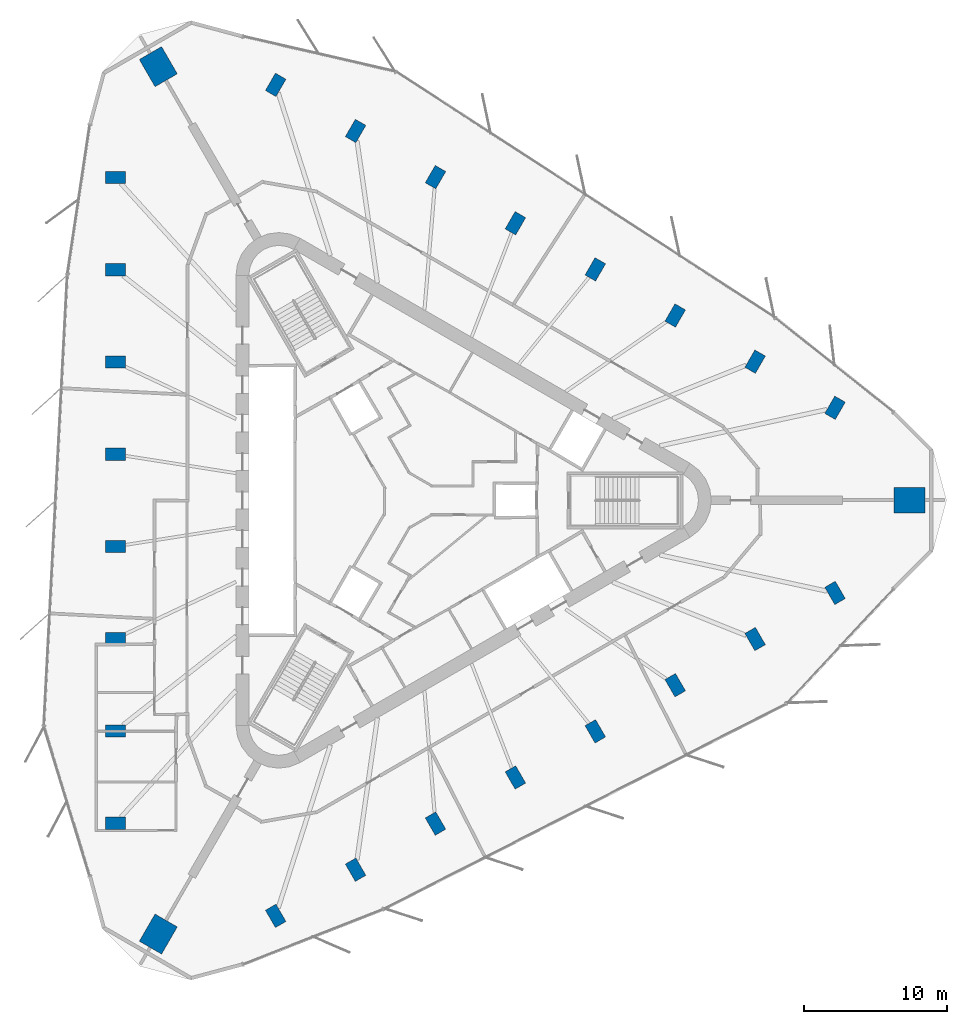
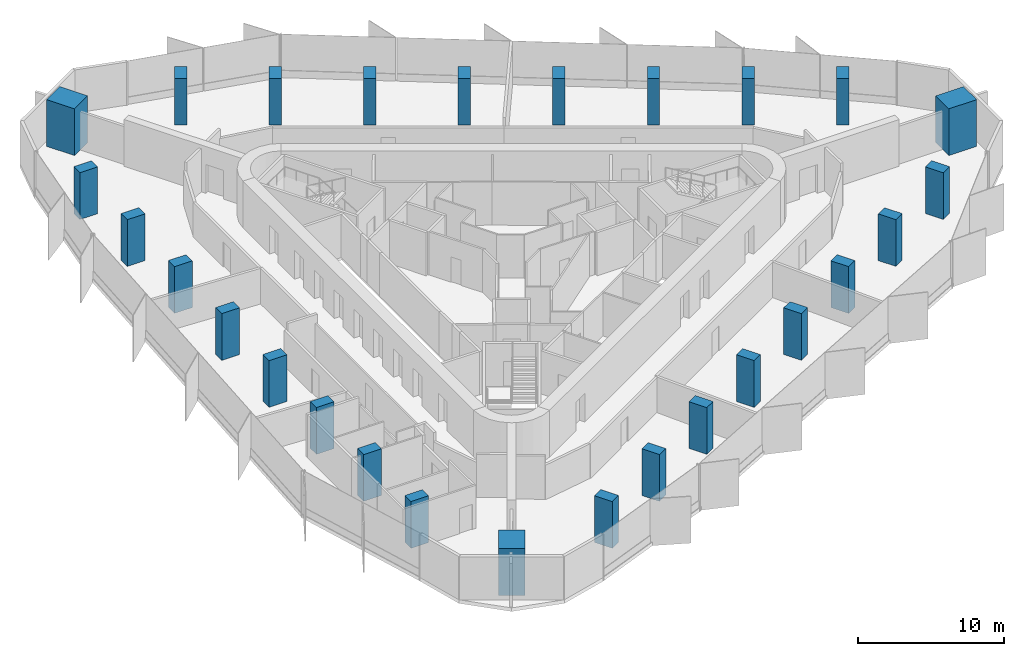
# One storey, part 1 of 13: 27 columns.
"""IFC4 building model written with IfcOpenShell, lengths in metres."""

from ifc_helpers import new_model, si_unit, direction, frame, origin, origin_2d, place, context, subcontext, project, spatial, rectangle, extrude, material, material_profile, profile_set, type_object, element, save


model = new_model("IFC4")

# Units and contexts
model_context = context("Model", 3, precision=1e-05, world=origin(), true_north=direction((0.0, 1.0)))
body_context = subcontext(model_context, "Body", "Model", "MODEL_VIEW")
ifc_project = project(units=[si_unit("LENGTHUNIT", "METRE"), si_unit("AREAUNIT", "SQUARE_METRE"), si_unit("VOLUMEUNIT", "CUBIC_METRE"), si_unit("PLANEANGLEUNIT", "RADIAN"), si_unit("MASSUNIT", "GRAM", prefix="KILO")], contexts=[model_context])

# Site, building, storey
site_placement = place(None, origin())
site = spatial("IfcSite", under=ifc_project, at=site_placement, CompositionType="ELEMENT")
building_placement = place(site_placement, origin())
building = spatial("IfcBuilding", under=site, at=building_placement, Name="Tanit Gate Tower", CompositionType="ELEMENT")
storey_placement = place(building_placement, frame((0.0, 0.0, 314.300048828125)))
storey = spatial("IfcBuildingStorey", under=building, at=storey_placement, Name="L70", CompositionType="ELEMENT", Elevation=314.300048828125)

# Columns
ifc_material_1 = material(Name="Concrete C50/60", Category="concrete")
ifc_material_profile_1 = material_profile(ifc_material_1, rectangle(XDim=2.199951171875, YDim=1.800048828125, at=origin_2d()), Name="RC 2200x1800")
ifc_profile_set_1 = profile_set([ifc_material_profile_1], Name="Concrete C50/60")
column_type_1 = type_object("IfcColumnType", Name="MEGA COLUMN 2200x1800 C50/60", PredefinedType="COLUMN", material=ifc_profile_set_1)
for number, where, z_axis, x_axis, name in (
    (1, (35.0830078125, 0.0, 0.0), (0.0, 0.0, 1.0), (1.0, 0.0, 0.0), "MEGA COLUMN"),
    (2, (-17.54150390625, 30.3828125, 0.0), (0.0, 0.0, 1.0), (-0.5, 0.866025403784, 0.0), "MEGA COLUMN"),
    (3, (-17.54150390625, -30.3828125, 0.0), (0.0, 0.0, 1.0), (-0.5, -0.866025403784, 0.0), "MEGA COLUMN"),
):
    element("IfcColumn", number, at=place(storey_placement, frame(where, z_axis=z_axis, x_axis=x_axis)), inside=storey, type_object=column_type_1, Name=name, PredefinedType="COLUMN", context=body_context, shape_type="SweptSolid", body=[
        extrude(rectangle(XDim=2.199951171875, YDim=1.800048828125, at=origin_2d()), origin(), (0.0, 0.0, 1.0), 3.89990234375),
    ])
ifc_material_2 = material(Name="Concrete C40/50", Category="concrete")
ifc_material_profile_2 = material_profile(ifc_material_2, rectangle(XDim=1.39990234375, YDim=0.85009765625, at=origin_2d()), Name="RC 1400x850")
ifc_profile_set_2 = profile_set([ifc_material_profile_2], Name="Concrete C40/50")
column_type_2 = type_object("IfcColumnType", Name="PERIMETER COLUMN 1400x850 C40/50", PredefinedType="COLUMN", material=ifc_profile_set_2)
for number, where, z_axis, x_axis, name in (
    (4, (-20.549560546875, 22.62353515625, 0.0), (0.0, 0.0, 1.0), (-1.0, 0.0, 0.0), "PERIMETER COLUMN"),
    (5, (-20.549560546875, 16.15966796875, 0.0), (0.0, 0.0, 1.0), (-1.0, 0.0, 0.0), "PERIMETER COLUMN"),
    (6, (-20.549560546875, 9.69580078125, 0.0), (0.0, 0.0, 1.0), (-1.0, 0.0, 0.0), "PERIMETER COLUMN"),
    (7, (-20.549560546875, 3.23193359375, 0.0), (0.0, 0.0, 1.0), (-1.0, 0.0, 0.0), "PERIMETER COLUMN"),
    (8, (-20.549560546875, -3.23193359375, 0.0), (0.0, 0.0, 1.0), (-1.0, 0.0, 0.0), "PERIMETER COLUMN"),
    (9, (-20.549560546875, -9.69580078125, 0.0), (0.0, 0.0, 1.0), (-1.0, 0.0, 0.0), "PERIMETER COLUMN"),
    (10, (-20.549560546875, -16.15966796875, 0.0), (0.0, 0.0, 1.0), (-1.0, 0.0, 0.0), "PERIMETER COLUMN"),
    (11, (-20.549560546875, -22.62353515625, 0.0), (0.0, 0.0, 1.0), (-1.0, 0.0, 0.0), "PERIMETER COLUMN"),
    (12, (29.867431640625, 6.484619140625, 0.0), (0.0, 0.0, 1.0), (0.5, 0.866025403784, 0.0), "PERIMETER COLUMN"),
    (13, (24.26953125, 9.716552734375, 0.0), (0.0, 0.0, 1.0), (0.5, 0.866025403784, 0.0), "PERIMETER COLUMN"),
    (14, (18.671630859375, 12.948486328125, 0.0), (0.0, 0.0, 1.0), (0.5, 0.866025403784, 0.0), "PERIMETER COLUMN"),
    (15, (13.07373046875, 16.180419921875, 0.0), (0.0, 0.0, 1.0), (0.5, 0.866025403784, 0.0), "PERIMETER COLUMN"),
    (16, (7.475830078125, 19.412353515625, 0.0), (0.0, 0.0, 1.0), (0.5, 0.866025403784, 0.0), "PERIMETER COLUMN"),
    (17, (1.8779296875, 22.644287109375, 0.0), (0.0, 0.0, 1.0), (0.5, 0.866025403784, 0.0), "PERIMETER COLUMN"),
    (18, (-3.719970703125, 25.876220703125, 0.0), (0.0, 0.0, 1.0), (0.5, 0.866025403784, 0.0), "PERIMETER COLUMN"),
    (19, (-9.31787109375, 29.1083984375, 0.0), (0.0, 0.0, 1.0), (0.5, 0.866025403784, 0.0), "PERIMETER COLUMN"),
    (20, (-9.31787109375, -29.1083984375, 0.0), (0.0, 0.0, 1.0), (0.5, -0.866025403784, 0.0), "PERIMETER COLUMN"),
    (21, (-3.719970703125, -25.876220703125, 0.0), (0.0, 0.0, 1.0), (0.5, -0.866025403784, 0.0), "PERIMETER COLUMN"),
    (22, (1.8779296875, -22.644287109375, 0.0), (0.0, 0.0, 1.0), (0.5, -0.866025403784, 0.0), "PERIMETER COLUMN"),
    (23, (7.475830078125, -19.412353515625, 0.0), (0.0, 0.0, 1.0), (0.5, -0.866025403784, 0.0), "PERIMETER COLUMN"),
    (24, (13.07373046875, -16.180419921875, 0.0), (0.0, 0.0, 1.0), (0.5, -0.866025403784, 0.0), "PERIMETER COLUMN"),
    (25, (18.671630859375, -12.948486328125, 0.0), (0.0, 0.0, 1.0), (0.5, -0.866025403784, 0.0), "PERIMETER COLUMN"),
    (26, (24.26953125, -9.716552734375, 0.0), (0.0, 0.0, 1.0), (0.5, -0.866025403784, 0.0), "PERIMETER COLUMN"),
    (27, (29.867431640625, -6.484619140625, 0.0), (0.0, 0.0, 1.0), (0.5, -0.866025403784, 0.0), "PERIMETER COLUMN"),
):
    element("IfcColumn", number, at=place(storey_placement, frame(where, z_axis=z_axis, x_axis=x_axis)), inside=storey, type_object=column_type_2, Name=name, PredefinedType="COLUMN", context=body_context, shape_type="SweptSolid", body=[
        extrude(rectangle(XDim=1.39990234375, YDim=0.85009765625, at=origin_2d()), origin(), (0.0, 0.0, 1.0), 3.89990234375),
    ])

save(model, "model.ifc")
